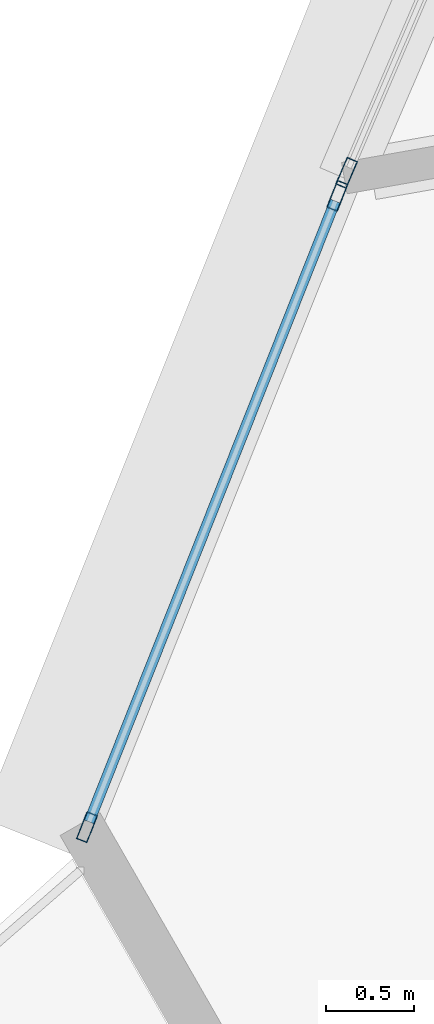
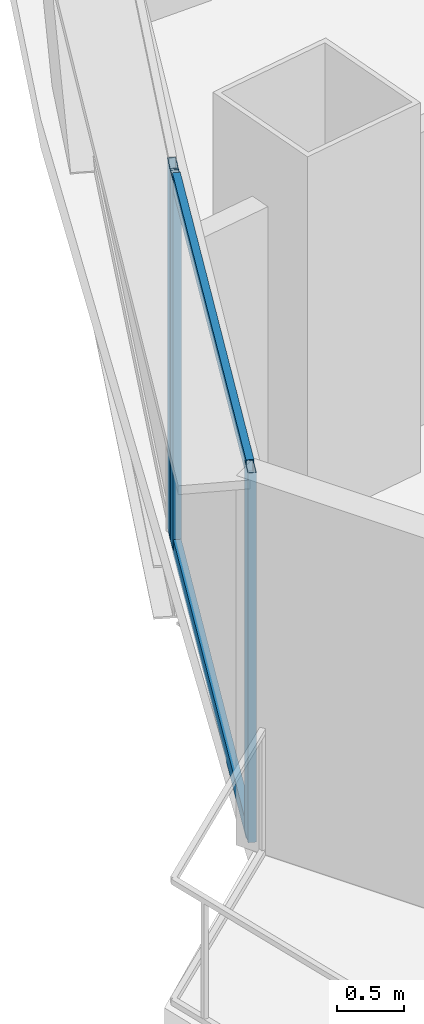
# One storey, part 4 of 37: 5 members, 2 elements without a shape of their own.
"""IFC4 building model written with IfcOpenShell, lengths in metres."""

from ifc_helpers import new_model, si_unit, direction, frame, origin, origin_2d, place, context, subcontext, project, spatial, hollow_rectangle, extrude, source, transform, mapped, material, layer, layer_set, material_profile, profile_set, type_object, element, aggregate, save


model = new_model("IFC4")

# Units and contexts
model_context = context("Model", 3, precision=1e-05, world=origin(), true_north=direction((0.0, 1.0)))
body_context = subcontext(model_context, "Body", "Model", "MODEL_VIEW")
ifc_project = project(units=[si_unit("LENGTHUNIT", "METRE"), si_unit("AREAUNIT", "SQUARE_METRE"), si_unit("VOLUMEUNIT", "CUBIC_METRE"), si_unit("PLANEANGLEUNIT", "RADIAN"), si_unit("MASSUNIT", "GRAM", prefix="KILO"), si_unit("THERMODYNAMICTEMPERATUREUNIT", "KELVIN"), si_unit("POWERUNIT", "WATT")], contexts=[model_context])

# Site, building, storey
site_placement = place(None, origin())
site = spatial("IfcSite", under=ifc_project, at=site_placement, CompositionType="ELEMENT")
building_placement = place(site_placement, origin())
building = spatial("IfcBuilding", under=site, at=building_placement, Name="Yunzhuo Pagoda Commons", CompositionType="ELEMENT")
storey_placement = place(building_placement, frame((0.0, 0.0, 52.179931640625)))
storey = spatial("IfcBuildingStorey", under=building, at=storey_placement, Name="L13", CompositionType="ELEMENT", Elevation=52.179931640625)

# Curtain wall, member
ifc_material = material(Name="Anodized aluminium 6063-T6", Category="aluminium")
ifc_layer = layer(ifc_material, 0.1650390625)
ifc_layer_set = layer_set([ifc_layer], Name="Anodized aluminium 6063-T6")
curtain_wall_type = type_object("IfcCurtainWallType", Name="CW-LOW Low-Zone Ribbon Curtain Wall", PredefinedType="NOTDEFINED", material=ifc_layer_set)
curtain_wall_1_placement = place(storey_placement, origin())
curtain_wall_1 = element("IfcCurtainWall", 1, at=curtain_wall_1_placement, inside=storey, type_object=curtain_wall_type, Name="L13 curtain wall CW-L13-F3B4", PredefinedType="NOTDEFINED")
ifc_material_profile_1 = material_profile(ifc_material, hollow_rectangle(XDim=0.06494140625, YDim=0.1650390625, WallThickness=0.00390625, at=origin_2d()), Name="Anodized aluminium 6063-T6")
ifc_profile_set_1 = profile_set([ifc_material_profile_1], Name="Anodized aluminium 6063-T6")
member_type_1 = type_object("IfcMemberType", Name="CW-LOW-M Mullion RHS 165x65x4", PredefinedType="MULLION", material=ifc_profile_set_1)
shared_shape_1 = source(origin(), body_context, "Body", "SweptSolid", [
    extrude(hollow_rectangle(XDim=0.06494140625, YDim=0.1650390625, WallThickness=0.00390625, at=origin_2d()), origin(), (0.0, 0.0, 1.0), 3.3701171875),
])
member_1_placement = place(storey_placement, frame((6.59228515625, 26.426513671875, 0.0), z_axis=(0.0, 0.0, 1.0), x_axis=(0.918993139703, -0.394273520769, 0.0)))
member_1 = element("IfcMember", 2, at=member_1_placement, type_object=member_type_1, Name="CW mullion 2", PredefinedType="MULLION", context=body_context, shape_type="MappedRepresentation", body=[
    mapped(shared_shape_1, transform((0.0, 0.0, 0.0), scale=1.0)),
])
aggregate(curtain_wall_1, [member_1])

# Curtain wall, members
curtain_wall_2_placement = place(storey_placement, origin())
curtain_wall_2 = element("IfcCurtainWall", 3, at=curtain_wall_2_placement, inside=storey, type_object=curtain_wall_type, Name="L13 curtain wall CW-L13-F3B5", PredefinedType="NOTDEFINED")
member_2_placement = place(storey_placement, frame((6.539794921875, 26.29638671875, 0.0), z_axis=(0.0, 0.0, 1.0), x_axis=(0.929582438104, -0.368614284542, 0.0)))
member_2 = element("IfcMember", 4, at=member_2_placement, type_object=member_type_1, Name="CW mullion 1", PredefinedType="MULLION", context=body_context, shape_type="MappedRepresentation", body=[
    mapped(shared_shape_1, transform((0.0, 0.0, 0.0), scale=1.0)),
])
member_3_placement = place(storey_placement, frame((5.123046875, 22.7236328125, 0.0), z_axis=(0.0, 0.0, 1.0), x_axis=(0.929582438104, -0.368614284542, 0.0)))
member_3 = element("IfcMember", 5, at=member_3_placement, type_object=member_type_1, Name="CW mullion 2", PredefinedType="MULLION", context=body_context, shape_type="MappedRepresentation", body=[
    mapped(shared_shape_1, transform((0.0, 0.0, 0.0), scale=1.0)),
])
ifc_material_profile_2 = material_profile(ifc_material, hollow_rectangle(XDim=0.06005859375, YDim=0.139892578125, WallThickness=0.00341796875, at=origin_2d()), Name="Anodized aluminium 6063-T6")
ifc_profile_set_2 = profile_set([ifc_material_profile_2], Name="Anodized aluminium 6063-T6")
member_type_2 = type_object("IfcMemberType", Name="CW-LOW-T Transom RHS 140x60x3.5", PredefinedType="USERDEFINED", material=ifc_profile_set_2)
shared_shape_2 = source(origin(), body_context, "Body", "SweptSolid", [
    extrude(hollow_rectangle(XDim=0.06005859375, YDim=0.139892578125, WallThickness=0.00341796875, at=origin_2d()), origin(), (0.0, 0.0, 1.0), 3.778564453125),
])
member_4_placement = place(storey_placement, frame((6.52783203125, 26.266357421875, 0.030029296875), z_axis=(-0.368615131288, -0.929582102337, 0.0), x_axis=(0.929582102337, -0.368615131288, 0.0)))
member_4 = element("IfcMember", 6, at=member_4_placement, type_object=member_type_2, Name="CW transom 1.1", ObjectType="TRANSOM", PredefinedType="USERDEFINED", context=body_context, shape_type="MappedRepresentation", body=[
    mapped(shared_shape_2, transform((0.0, 0.0, 0.0), scale=1.0)),
])
member_5_placement = place(storey_placement, frame((6.52783203125, 26.266357421875, 3.34033203125), z_axis=(-0.368615131288, -0.929582102337, 0.0), x_axis=(0.929582102337, -0.368615131288, 0.0)))
member_5 = element("IfcMember", 7, at=member_5_placement, type_object=member_type_2, Name="CW transom 1.2", ObjectType="TRANSOM", PredefinedType="USERDEFINED", context=body_context, shape_type="MappedRepresentation", body=[
    mapped(shared_shape_2, transform((0.0, 0.0, 0.0), scale=1.0)),
])
aggregate(curtain_wall_2, [member_2, member_3, member_4, member_5])

save(model, "model.ifc")
